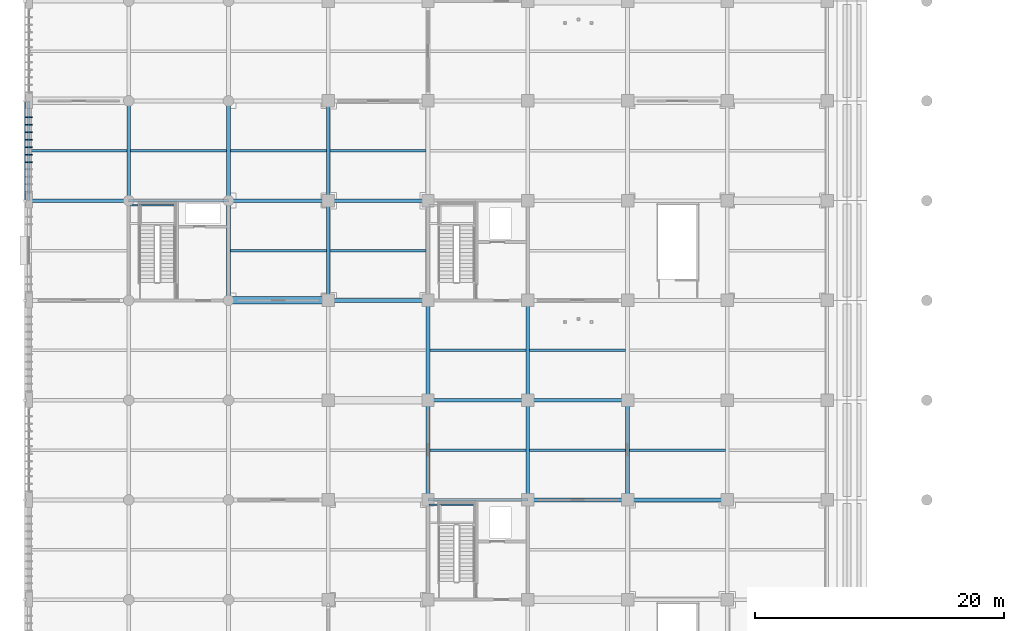
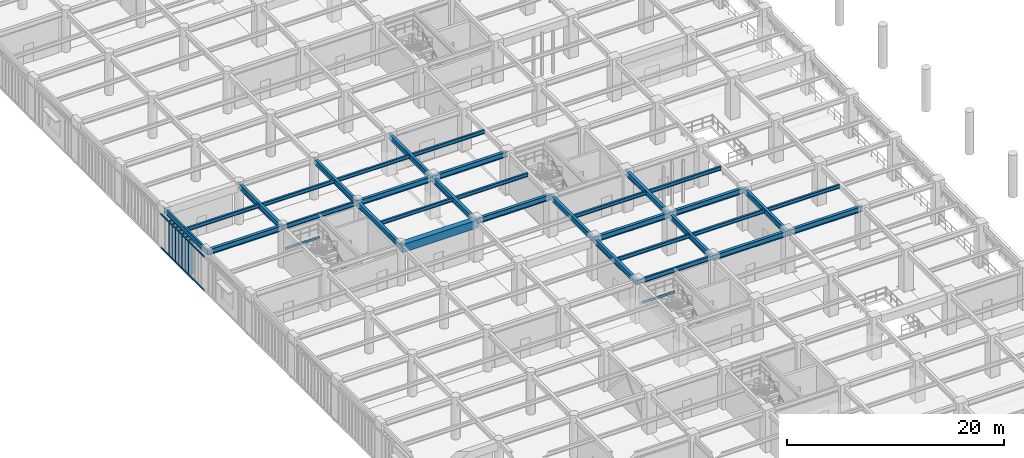
# One storey, part 20 of 117: 35 beams, 9 members.
"""IFC4 building model written with IfcOpenShell, lengths in metres."""

from ifc_helpers import new_model, si_unit, direction, frame, origin, origin_2d, place, context, subcontext, project, spatial, rectangle, hollow_rectangle, i_section, extrude, material, material_profile, profile_set, type_object, element, save


model = new_model("IFC4")

# Units and contexts
model_context = context("Model", 3, precision=1e-05, world=origin(), true_north=direction((0.0, 1.0)))
body_context = subcontext(model_context, "Body", "Model", "MODEL_VIEW")
ifc_project = project(units=[si_unit("LENGTHUNIT", "METRE"), si_unit("AREAUNIT", "SQUARE_METRE"), si_unit("VOLUMEUNIT", "CUBIC_METRE"), si_unit("PLANEANGLEUNIT", "RADIAN"), si_unit("MASSUNIT", "GRAM", prefix="KILO")], contexts=[model_context])

# Site, building, storey
site_placement = place(None, origin())
site = spatial("IfcSite", under=ifc_project, at=site_placement, CompositionType="ELEMENT")
building_placement = place(site_placement, origin())
building = spatial("IfcBuilding", under=site, at=building_placement, Name="Haebicheon Civic Stadium", CompositionType="ELEMENT")
storey_placement = place(building_placement, frame((0.0, 0.0, 4.800048828125)))
storey = spatial("IfcBuildingStorey", under=building, at=storey_placement, Name="L02", CompositionType="ELEMENT", Elevation=4.800048828125)

# Beams
ifc_material_1 = material(Name="Concrete C40/50", Category="concrete")
ifc_material_profile_1 = material_profile(ifc_material_1, rectangle(XDim=0.60009765625, YDim=0.89990234375, at=origin_2d()), Name="RC-BM-600x900")
ifc_profile_set_1 = profile_set([ifc_material_profile_1], Name="Concrete C40/50")
beam_type_1 = type_object("IfcBeamType", Name="BM-RC-600x900", PredefinedType="BEAM", material=ifc_profile_set_1)
beam_1_placement = place(storey_placement, frame((16.0, 80.0, 4.070068359375), z_axis=(1.0, 0.0, 0.0), x_axis=(0.0, 1.0, 0.0)))
element("IfcBeam", 1, at=beam_1_placement, inside=storey, type_object=beam_type_1, material=ifc_profile_set_1, Name="L02 beam L/3-4", PredefinedType="BEAM", context=body_context, shape_type="SweptSolid", body=[
    extrude(rectangle(XDim=0.60009765625, YDim=0.89990234375, at=origin_2d()), origin(), (0.0, 0.0, 1.0), 8.0),
])
ifc_material_2 = material(Name="Steel SM355 (S355)", Category="steel")
ifc_material_profile_2 = material_profile(ifc_material_2, i_section(OverallWidth=0.199951171875, OverallDepth=0.5, WebThickness=0.010009765625, FlangeThickness=0.01611328125, at=origin_2d()), Name="H-500x200x10x16")
ifc_profile_set_2 = profile_set([ifc_material_profile_2], Name="Steel SM355 (S355)")
beam_type_2 = type_object("IfcBeamType", Name="BM-ST-H500", PredefinedType="BEAM", material=ifc_profile_set_2)
for number, where, z_axis, x_axis, name in (
    (2, (8.0, 88.0, 4.27001953125), (1.0, 0.0, 0.0), (0.0, 1.0, 0.0), "L02 beam M/2-3"),
    (3, (32.0, 64.0, 4.27001953125), (1.0, 0.0, 0.0), (0.0, 1.0, 0.0), "L02 beam J/5-6"),
):
    element("IfcBeam", number, at=place(storey_placement, frame(where, z_axis=z_axis, x_axis=x_axis)), inside=storey, type_object=beam_type_2, material=ifc_profile_set_2, Name=name, PredefinedType="BEAM", context=body_context, shape_type="SweptSolid", body=[
        extrude(i_section(OverallWidth=0.199951171875, OverallDepth=0.5, WebThickness=0.010009765625, FlangeThickness=0.01611328125, at=origin_2d()), origin(), (0.0, 0.0, 1.0), 8.0),
    ])
ifc_material_3 = material(Name="Steel SM355 (S355)", Category="steel")
ifc_material_profile_3 = material_profile(ifc_material_3, i_section(OverallWidth=0.300048828125, OverallDepth=0.60009765625, WebThickness=0.011962890625, FlangeThickness=0.02001953125, at=origin_2d()), Name="H-600x300x12x20")
ifc_profile_set_3 = profile_set([ifc_material_profile_3], Name="Steel SM355 (S355)")
beam_type_3 = type_object("IfcBeamType", Name="BM-ST-H600A", PredefinedType="BEAM", material=ifc_profile_set_3)
for number, where, z_axis, x_axis, name in (
    (4, (8.0, 88.0, 4.219970703125), (0.0, 1.0, 0.0), (-1.0, 0.0, 0.0), "L02 girder 2/M-N"),
    (5, (16.0, 80.0, 4.219970703125), (0.0, 1.0, 0.0), (-1.0, 0.0, 0.0), "L02 girder 3/L-M"),
    (6, (16.0, 88.0, 4.219970703125), (0.0, 1.0, 0.0), (-1.0, 0.0, 0.0), "L02 girder 3/M-N"),
    (7, (24.0, 80.0, 4.219970703125), (0.0, 1.0, 0.0), (-1.0, 0.0, 0.0), "L02 girder 4/L-M"),
    (8, (24.0, 88.0, 4.219970703125), (0.0, 1.0, 0.0), (-1.0, 0.0, 0.0), "L02 girder 4/M-N"),
    (9, (32.0, 64.0, 4.219970703125), (0.0, 1.0, 0.0), (-1.0, 0.0, 0.0), "L02 girder 5/J-K"),
    (10, (32.0, 72.0, 4.219970703125), (0.0, 1.0, 0.0), (-1.0, 0.0, 0.0), "L02 girder 5/K-L"),
    (11, (40.0, 64.0, 4.219970703125), (0.0, 1.0, 0.0), (-1.0, 0.0, 0.0), "L02 girder 6/J-K"),
    (12, (40.0, 72.0, 4.219970703125), (0.0, 1.0, 0.0), (-1.0, 0.0, 0.0), "L02 girder 6/K-L"),
    (13, (48.0, 64.0, 4.219970703125), (0.0, 1.0, 0.0), (-1.0, 0.0, 0.0), "L02 girder 7/J-K"),
    (14, (0.0, 88.0, 4.280029296875), (1.0, 0.0, 0.0), (0.0, 1.0, 0.0), "L02 beam M/1-2"),
    (15, (16.0, 88.0, 4.219970703125), (1.0, 0.0, 0.0), (0.0, 1.0, 0.0), "L02 beam M/3-4"),
    (16, (24.0, 80.0, 4.219970703125), (1.0, 0.0, 0.0), (0.0, 1.0, 0.0), "L02 beam L/4-5"),
    (17, (24.0, 88.0, 4.219970703125), (1.0, 0.0, 0.0), (0.0, 1.0, 0.0), "L02 beam M/4-5"),
    (18, (32.0, 72.0, 4.219970703125), (1.0, 0.0, 0.0), (0.0, 1.0, 0.0), "L02 beam K/5-6"),
    (19, (40.0, 64.0, 4.219970703125), (1.0, 0.0, 0.0), (0.0, 1.0, 0.0), "L02 beam J/6-7"),
    (20, (40.0, 72.0, 4.219970703125), (1.0, 0.0, 0.0), (0.0, 1.0, 0.0), "L02 beam K/6-7"),
    (21, (48.0, 64.0, 4.219970703125), (1.0, 0.0, 0.0), (0.0, 1.0, 0.0), "L02 beam J/7-8"),
):
    element("IfcBeam", number, at=place(storey_placement, frame(where, z_axis=z_axis, x_axis=x_axis)), inside=storey, type_object=beam_type_3, material=ifc_profile_set_3, Name=name, PredefinedType="BEAM", context=body_context, shape_type="SweptSolid", body=[
        extrude(i_section(OverallWidth=0.300048828125, OverallDepth=0.60009765625, WebThickness=0.011962890625, FlangeThickness=0.02001953125, at=origin_2d()), origin(), (0.0, 0.0, 1.0), 8.0),
    ])
ifc_material_4 = material(Name="Steel SM355 (S355)", Category="steel")
ifc_material_profile_4 = material_profile(ifc_material_4, i_section(OverallWidth=0.125, OverallDepth=0.25, WebThickness=0.006103515625, FlangeThickness=0.009033203125, at=origin_2d()), Name="H-250x125x6x9")
ifc_profile_set_4 = profile_set([ifc_material_profile_4], Name="Steel SM355 (S355)")
beam_type_4 = type_object("IfcBeamType", Name="JST-ST-H250", PredefinedType="JOIST", material=ifc_profile_set_4)
for number, where, z_axis, x_axis, name in (
    (22, (32.080078125, 63.6201171875, 2.072021484375), (1.0, 0.0, 0.0), (0.0, 1.0, 0.0), "KC-02 L02 stair half-landing rear trimmer beam"),
    (23, (8.080078125, 87.6201171875, 2.072021484375), (1.0, 0.0, 0.0), (0.0, 1.0, 0.0), "KC-15 L02 stair half-landing rear trimmer beam"),
):
    element("IfcBeam", number, at=place(storey_placement, frame(where, z_axis=z_axis, x_axis=x_axis)), inside=storey, type_object=beam_type_4, material=ifc_profile_set_4, Name=name, PredefinedType="JOIST", context=body_context, shape_type="SweptSolid", body=[
        extrude(i_section(OverallWidth=0.125, OverallDepth=0.25, WebThickness=0.006103515625, FlangeThickness=0.009033203125, at=origin_2d()), origin(), (0.0, 0.0, 1.0), 3.719970703125),
    ])
ifc_material_5 = material(Name="Steel SM355 (S355)", Category="steel")
ifc_material_profile_5 = material_profile(ifc_material_5, i_section(OverallWidth=0.199951171875, OverallDepth=0.39990234375, WebThickness=0.008056640625, FlangeThickness=0.012939453125, at=origin_2d()), Name="H-400x200x8x13")
ifc_profile_set_5 = profile_set([ifc_material_profile_5], Name="Steel SM355 (S355)")
beam_type_5 = type_object("IfcBeamType", Name="JST-ST-H400", PredefinedType="JOIST", material=ifc_profile_set_5)
beam_2_placement = place(storey_placement, frame((0.10009765625, 92.0, 4.3798828125), z_axis=(1.0, 0.0, 0.0), x_axis=(0.0, 1.0, 0.0)))
element("IfcBeam", 24, at=beam_2_placement, inside=storey, type_object=beam_type_5, material=ifc_profile_set_5, Name="L02 secondary joist 00-11", PredefinedType="JOIST", context=body_context, shape_type="SweptSolid", body=[
    extrude(i_section(OverallWidth=0.199951171875, OverallDepth=0.39990234375, WebThickness=0.008056640625, FlangeThickness=0.012939453125, at=origin_2d()), origin(), (0.0, 0.0, 1.0), 7.75),
])
for number, where, z_axis, x_axis, name in (
    (25, (8.14990234375, 92.0, 4.320068359375), (1.0, 0.0, 0.0), (0.0, 1.0, 0.0), "L02 secondary joist 01-11"),
    (26, (16.14990234375, 84.0, 4.320068359375), (1.0, 0.0, 0.0), (0.0, 1.0, 0.0), "L02 secondary joist 02-10"),
    (27, (16.14990234375, 92.0, 4.320068359375), (1.0, 0.0, 0.0), (0.0, 1.0, 0.0), "L02 secondary joist 02-11"),
    (28, (24.14990234375, 84.0, 4.320068359375), (1.0, 0.0, 0.0), (0.0, 1.0, 0.0), "L02 secondary joist 03-10"),
    (29, (24.14990234375, 92.0, 4.320068359375), (1.0, 0.0, 0.0), (0.0, 1.0, 0.0), "L02 secondary joist 03-11"),
    (30, (32.14990234375, 68.0, 4.320068359375), (1.0, 0.0, 0.0), (0.0, 1.0, 0.0), "L02 secondary joist 04-08"),
    (31, (32.14990234375, 76.0, 4.320068359375), (1.0, 0.0, 0.0), (0.0, 1.0, 0.0), "L02 secondary joist 04-09"),
    (32, (40.14990234375, 68.0, 4.320068359375), (1.0, 0.0, 0.0), (0.0, 1.0, 0.0), "L02 secondary joist 05-08"),
    (33, (40.14990234375, 76.0, 4.320068359375), (1.0, 0.0, 0.0), (0.0, 1.0, 0.0), "L02 secondary joist 05-09"),
    (34, (48.14990234375, 68.0, 4.320068359375), (1.0, 0.0, 0.0), (0.0, 1.0, 0.0), "L02 secondary joist 06-08"),
):
    element("IfcBeam", number, at=place(storey_placement, frame(where, z_axis=z_axis, x_axis=x_axis)), inside=storey, type_object=beam_type_5, material=ifc_profile_set_5, Name=name, PredefinedType="JOIST", context=body_context, shape_type="SweptSolid", body=[
        extrude(i_section(OverallWidth=0.199951171875, OverallDepth=0.39990234375, WebThickness=0.008056640625, FlangeThickness=0.012939453125, at=origin_2d()), origin(), (0.0, 0.0, 1.0), 7.7001953125),
    ])

# Members
ifc_material_6 = material(Name="Acetylated timber GL28h", Category="wood")
ifc_material_profile_6 = material_profile(ifc_material_6, rectangle(XDim=0.080078125, YDim=0.52001953125, at=origin_2d()), Name="TMB-LOUV-80x520")
ifc_profile_set_6 = profile_set([ifc_material_profile_6], Name="Acetylated timber GL28h")
member_type_1 = type_object("IfcMemberType", Name="LVR-TIM-520x80", PredefinedType="PLATE", material=ifc_profile_set_6)
for number, where, z_axis, x_axis, name in (
    (35, (0.02001953125, 91.10009765625, -0.1201171875), (0.0, 0.0, 1.0), (0.0, 1.0, 0.0), "SCR-BOUL L02 acetylated timber storm louvre fin 6.5"),
    (36, (0.02001953125, 91.699951171875, -0.1201171875), (0.0, 0.0, 1.0), (0.0, 1.0, 0.0), "SCR-BOUL L02 acetylated timber storm louvre fin 6.6"),
    (37, (0.02001953125, 92.300048828125, -0.1201171875), (0.0, 0.0, 1.0), (0.0, 1.0, 0.0), "SCR-BOUL L02 acetylated timber storm louvre fin 6.7"),
    (38, (0.02001953125, 92.89990234375, -0.1201171875), (0.0, 0.0, 1.0), (0.0, 1.0, 0.0), "SCR-BOUL L02 acetylated timber storm louvre fin 6.8"),
    (39, (0.02001953125, 93.5, -0.1201171875), (0.0, 0.0, 1.0), (0.0, 1.0, 0.0), "SCR-BOUL L02 acetylated timber storm louvre fin 6.9"),
    (40, (0.02001953125, 94.10009765625, -0.1201171875), (0.0, 0.0, 1.0), (0.0, 1.0, 0.0), "SCR-BOUL L02 acetylated timber storm louvre fin 6.10"),
    (41, (0.02001953125, 94.699951171875, -0.1201171875), (0.0, 0.0, 1.0), (0.0, 1.0, 0.0), "SCR-BOUL L02 acetylated timber storm louvre fin 6.11"),
):
    element("IfcMember", number, at=place(storey_placement, frame(where, z_axis=z_axis, x_axis=x_axis)), inside=storey, type_object=member_type_1, material=ifc_profile_set_6, Name=name, PredefinedType="PLATE", context=body_context, shape_type="SweptSolid", body=[
        extrude(rectangle(XDim=0.080078125, YDim=0.52001953125, at=origin_2d()), origin(), (0.0, 0.0, 1.0), 3.969970703125),
    ])

# Beam
ifc_material_7 = material(Name="Steel SM355 (S355)", Category="steel")
ifc_material_profile_7 = material_profile(ifc_material_7, i_section(OverallWidth=0.199951171875, OverallDepth=0.60009765625, WebThickness=0.010986328125, FlangeThickness=0.01708984375, at=origin_2d()), Name="H-600x200x11x17")
ifc_profile_set_7 = profile_set([ifc_material_profile_7], Name="Steel SM355 (S355)")
beam_type_6 = type_object("IfcBeamType", Name="SPD-ST-H600B", PredefinedType="SPANDREL", material=ifc_profile_set_7)
beam_3_placement = place(storey_placement, frame((0.0, 88.0, 4.280029296875), z_axis=(0.0, 1.0, 0.0), x_axis=(-1.0, 0.0, 0.0)))
element("IfcBeam", 42, at=beam_3_placement, inside=storey, type_object=beam_type_6, material=ifc_profile_set_7, Name="L02 girder 1/M-N", PredefinedType="SPANDREL", context=body_context, shape_type="SweptSolid", body=[
    extrude(i_section(OverallWidth=0.199951171875, OverallDepth=0.60009765625, WebThickness=0.010986328125, FlangeThickness=0.01708984375, at=origin_2d()), origin(), (0.0, 0.0, 1.0), 8.0),
])

# Members
ifc_material_8 = material(Name="Steel SM355 (S355)", Category="steel")
ifc_material_profile_8 = material_profile(ifc_material_8, hollow_rectangle(XDim=0.10009765625, YDim=0.14990234375, WallThickness=0.006103515625, at=origin_2d()), Name="RHS-150x100x6.0")
ifc_profile_set_8 = profile_set([ifc_material_profile_8], Name="Steel SM355 (S355)")
member_type_2 = type_object("IfcMemberType", Name="SUB-RHS150", PredefinedType="STRINGER", material=ifc_profile_set_8)
for number, where, z_axis, x_axis, name in (
    (43, (-0.31494140625, 88.0, 0.06005859375), (0.0, 1.0, 0.0), (-1.0, 0.0, 0.0), "SCR-BOUL L02 storm-louvre bottom carrier rail 6"),
    (44, (-0.31494140625, 88.0, 3.849853515625), (0.0, 1.0, 0.0), (-1.0, 0.0, 0.0), "SCR-BOUL L02 storm-louvre top carrier rail 6"),
):
    element("IfcMember", number, at=place(storey_placement, frame(where, z_axis=z_axis, x_axis=x_axis)), inside=storey, type_object=member_type_2, material=ifc_profile_set_8, Name=name, PredefinedType="STRINGER", context=body_context, shape_type="SweptSolid", body=[
        extrude(hollow_rectangle(XDim=0.10009765625, YDim=0.14990234375, WallThickness=0.006103515625, at=origin_2d()), origin(), (0.0, 0.0, 1.0), 8.0),
    ])

save(model, "model.ifc")
